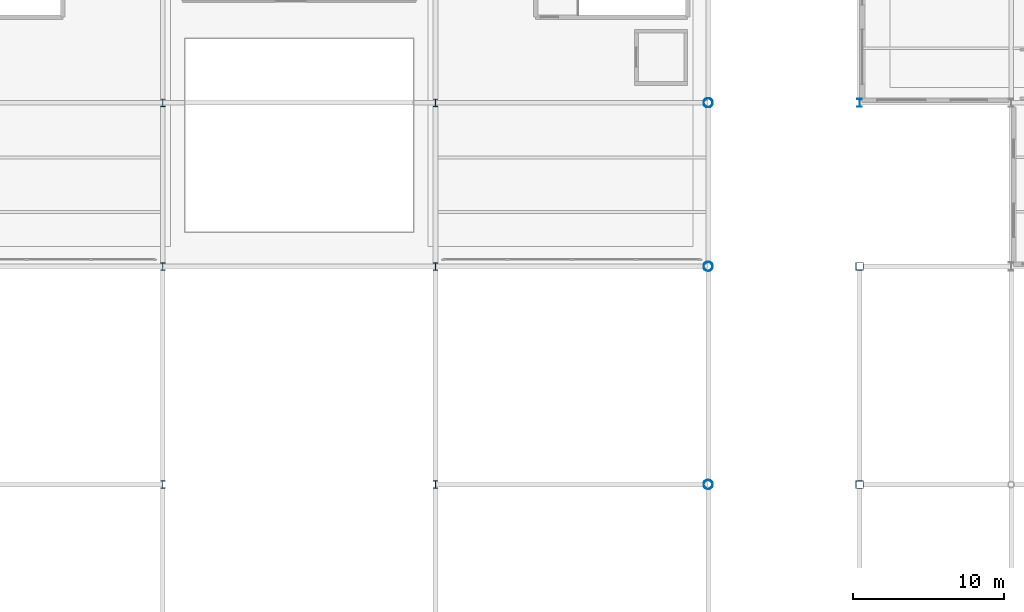
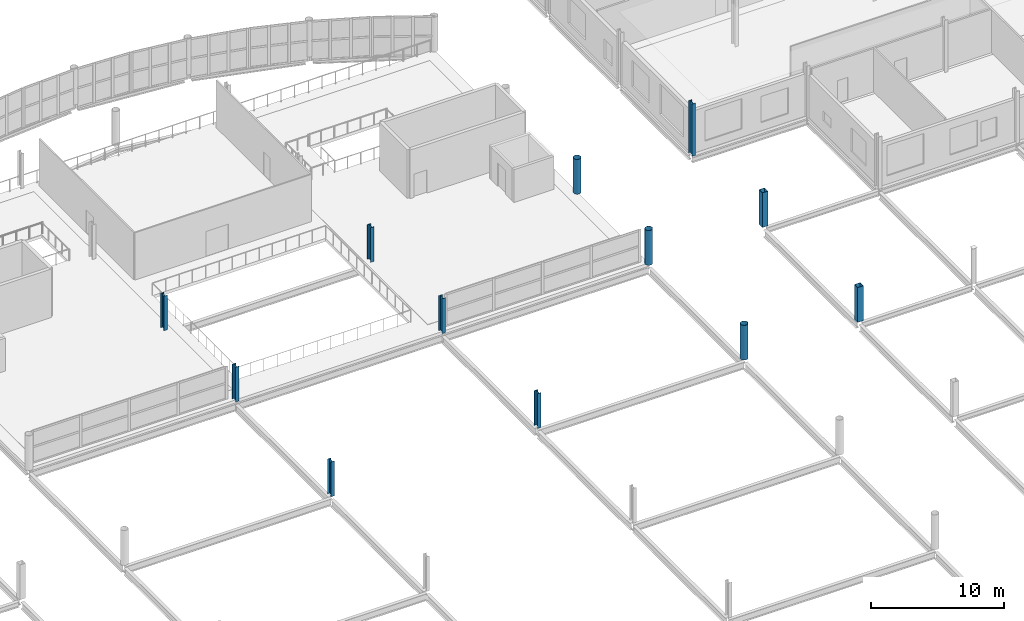
# One storey, part 11 of 134: 12 columns.
"""IFC4 building model written with IfcOpenShell, lengths in metres."""

from ifc_helpers import new_model, si_unit, direction, frame, origin, origin_2d, place, context, subcontext, project, spatial, hollow_rectangle, hollow_circle, i_section, extrude, material, material_profile, profile_set, type_object, element, save


model = new_model("IFC4")

# Units and contexts
model_context = context("Model", 3, precision=1e-05, world=origin(), true_north=direction((0.0, 1.0)))
body_context = subcontext(model_context, "Body", "Model", "MODEL_VIEW")
ifc_project = project(units=[si_unit("LENGTHUNIT", "METRE"), si_unit("AREAUNIT", "SQUARE_METRE"), si_unit("VOLUMEUNIT", "CUBIC_METRE"), si_unit("PLANEANGLEUNIT", "RADIAN"), si_unit("MASSUNIT", "GRAM", prefix="KILO")], contexts=[model_context])

# Site, building, storey
site_placement = place(None, origin())
site = spatial("IfcSite", under=ifc_project, at=site_placement, CompositionType="ELEMENT")
building_placement = place(site_placement, origin())
building = spatial("IfcBuilding", under=site, at=building_placement, Name="Tamarisk Ironworks Central Station", CompositionType="ELEMENT")
storey_placement = place(building_placement, frame((0.0, 0.0, 12.60009765625)))
storey = spatial("IfcBuildingStorey", under=building, at=storey_placement, Name="L02", CompositionType="ELEMENT", Elevation=12.60009765625)

# Columns
ifc_material_1 = material(Name="Structural steel S355J2", Category="steel")
ifc_material_profile_1 = material_profile(ifc_material_1, i_section(OverallWidth=0.300048828125, OverallDepth=0.550048828125, WebThickness=0.014892578125, FlangeThickness=0.029052734375, at=origin_2d()), Name="HEB 550")
ifc_profile_set_1 = profile_set([ifc_material_profile_1], Name="Structural steel S355J2")
column_type_1 = type_object("IfcColumnType", Name="COL-S06", PredefinedType="COLUMN", material=ifc_profile_set_1)
column_placement = place(storey_placement, frame((118.0, 90.0, 0.0), z_axis=(0.0, 0.0, 1.0), x_axis=(1.0, 0.0, 0.0)))
element("IfcColumn", 1, at=column_placement, inside=storey, type_object=column_type_1, Name="L02 column V5-15H", PredefinedType="COLUMN", context=body_context, shape_type="SweptSolid", body=[
    extrude(i_section(OverallWidth=0.300048828125, OverallDepth=0.550048828125, WebThickness=0.014892578125, FlangeThickness=0.029052734375, at=origin_2d()), origin(), (0.0, 0.0, 1.0), 4.7998046875),
])
ifc_material_profile_2 = material_profile(ifc_material_1, i_section(OverallWidth=0.300048828125, OverallDepth=0.5, WebThickness=0.014404296875, FlangeThickness=0.028076171875, at=origin_2d()), Name="HEB 500")
ifc_profile_set_2 = profile_set([ifc_material_profile_2], Name="Structural steel S355J2")
column_type_2 = type_object("IfcColumnType", Name="COL-S07", PredefinedType="COLUMN", material=ifc_profile_set_2)
for number, where, z_axis, x_axis, name in (
    (2, (72.0, 64.800048828125, 0.0), (0.0, 0.0, 1.0), (1.0, 0.0, 0.0), "L02 column V2-09F"),
    (3, (72.0, 79.199951171875, 0.0), (0.0, 0.0, 1.0), (1.0, 0.0, 0.0), "L02 column V2-09G"),
    (4, (72.0, 90.0, 0.0), (0.0, 0.0, 1.0), (1.0, 0.0, 0.0), "L02 column V2-09H"),
    (5, (90.0, 64.800048828125, 0.0), (0.0, 0.0, 1.0), (1.0, 0.0, 0.0), "L02 column V2-12F"),
    (6, (90.0, 79.199951171875, 0.0), (0.0, 0.0, 1.0), (1.0, 0.0, 0.0), "L02 column V2-12G"),
    (7, (90.0, 90.0, 0.0), (0.0, 0.0, 1.0), (1.0, 0.0, 0.0), "L02 column V2-12H"),
):
    element("IfcColumn", number, at=place(storey_placement, frame(where, z_axis=z_axis, x_axis=x_axis)), inside=storey, type_object=column_type_2, Name=name, PredefinedType="COLUMN", context=body_context, shape_type="SweptSolid", body=[
        extrude(i_section(OverallWidth=0.300048828125, OverallDepth=0.5, WebThickness=0.014404296875, FlangeThickness=0.028076171875, at=origin_2d()), origin(), (0.0, 0.0, 1.0), 3.199951171875),
    ])
ifc_material_2 = material(Name="Structural steel S355J2H", Category="steel")
ifc_material_profile_3 = material_profile(ifc_material_2, hollow_rectangle(XDim=0.5, YDim=0.5, WallThickness=0.02001953125, at=origin_2d()), Name="SHS 500x500x20")
ifc_profile_set_3 = profile_set([ifc_material_profile_3], Name="Structural steel S355J2H")
column_type_3 = type_object("IfcColumnType", Name="COL-S13", PredefinedType="COLUMN", material=ifc_profile_set_3)
for number, where, z_axis, x_axis, name in (
    (8, (118.0, 64.800048828125, 0.0), (0.0, 0.0, 1.0), (1.0, 0.0, 0.0), "L02 column V1-15F"),
    (9, (118.0, 79.199951171875, 0.0), (0.0, 0.0, 1.0), (1.0, 0.0, 0.0), "L02 column V1-15G"),
):
    element("IfcColumn", number, at=place(storey_placement, frame(where, z_axis=z_axis, x_axis=x_axis)), inside=storey, type_object=column_type_3, Name=name, PredefinedType="COLUMN", context=body_context, shape_type="SweptSolid", body=[
        extrude(hollow_rectangle(XDim=0.5, YDim=0.5, WallThickness=0.02001953125, at=origin_2d()), origin(), (0.0, 0.0, 1.0), 3.199951171875),
    ])
ifc_material_3 = material(Name="Painted structural steel S355J2", Category="steel")
ifc_material_profile_4 = material_profile(ifc_material_3, hollow_circle(Radius=0.304931640625, WallThickness=0.02001953125, at=origin_2d()), Name="CHS 610x20")
ifc_profile_set_4 = profile_set([ifc_material_profile_4], Name="Painted structural steel S355J2")
column_type_4 = type_object("IfcColumnType", Name="COL-S15", PredefinedType="COLUMN", material=ifc_profile_set_4)
for number, where, z_axis, x_axis, name in (
    (10, (108.0, 64.800048828125, 0.0), (0.0, 0.0, 1.0), (1.0, 0.0, 0.0), "L02 column V2-14F"),
    (11, (108.0, 79.199951171875, 0.0), (0.0, 0.0, 1.0), (1.0, 0.0, 0.0), "L02 column V2-14G"),
    (12, (108.0, 90.0, 0.0), (0.0, 0.0, 1.0), (1.0, 0.0, 0.0), "L02 column V2-14H"),
):
    element("IfcColumn", number, at=place(storey_placement, frame(where, z_axis=z_axis, x_axis=x_axis)), inside=storey, type_object=column_type_4, Name=name, PredefinedType="COLUMN", context=body_context, shape_type="SweptSolid", body=[
        extrude(hollow_circle(Radius=0.304931640625, WallThickness=0.02001953125, at=origin_2d()), origin(), (0.0, 0.0, 1.0), 3.199951171875),
    ])

save(model, "model.ifc")
